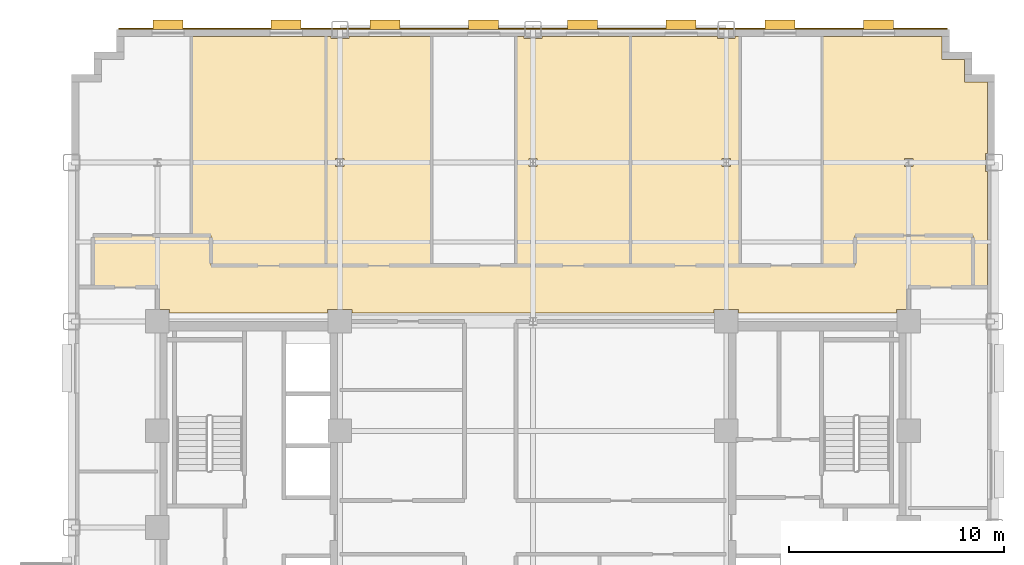
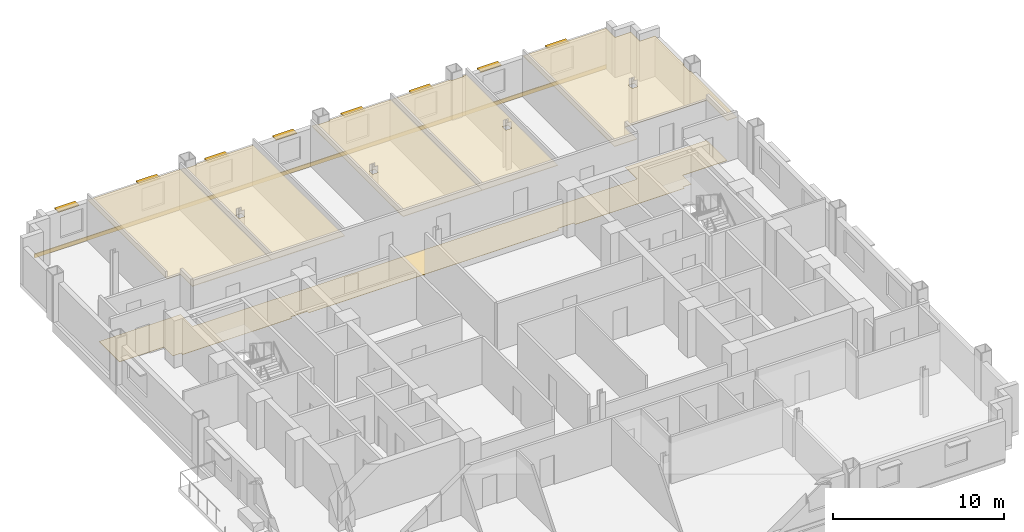
# One storey, part 14 of 14: 8 shading devices, 7 coverings.
"""IFC4 building model written with IfcOpenShell, lengths in metres."""

from ifc_helpers import new_model, si_unit, direction, frame, origin, origin_2d, place, context, subcontext, project, spatial, polyline, rectangle, outline, extrude, source, transform, mapped, material, layer, layer_set, type_object, type_shapes, element, save


model = new_model("IFC4")

# Units and contexts
model_context = context("Model", 3, precision=1e-05, world=origin(), true_north=direction((0.0, 1.0)))
body_context = subcontext(model_context, "Body", "Model", "MODEL_VIEW")
ifc_project = project(units=[si_unit("LENGTHUNIT", "METRE"), si_unit("AREAUNIT", "SQUARE_METRE"), si_unit("VOLUMEUNIT", "CUBIC_METRE"), si_unit("PLANEANGLEUNIT", "RADIAN"), si_unit("MASSUNIT", "GRAM", prefix="KILO")], contexts=[model_context])

# Site, building, storey
site_placement = place(None, origin())
site = spatial("IfcSite", under=ifc_project, at=site_placement, CompositionType="ELEMENT")
building_placement = place(site_placement, origin())
building = spatial("IfcBuilding", under=site, at=building_placement, Name="Nuvemarco Arch Tower", CompositionType="ELEMENT")
storey_placement = place(building_placement, frame((0.0, 0.0, 67.75)))
storey = spatial("IfcBuildingStorey", under=building, at=storey_placement, Name="L17", CompositionType="ELEMENT", Elevation=67.75)

# Coverings
ifc_material_1 = material(Name="Mineral acoustic ceiling tile")
ifc_layer_1 = layer(ifc_material_1, 0.0400390625, Name="COV-ACOUSTIC-CLG")
ifc_layer_set_1 = layer_set([ifc_layer_1], Name="Mineral acoustic ceiling tile")
covering_type_1 = type_object("IfcCoveringType", Name="COV-ACOUSTIC-CLG", PredefinedType="CEILING", material=ifc_layer_set_1)
covering_1_placement = place(storey_placement, frame((0.0, 0.0, 2.85009765625)))
element("IfcCovering", 1, at=covering_1_placement, inside=storey, type_object=covering_type_1, Name="L17 suspended acoustic ceiling 3", PredefinedType="CEILING", context=body_context, shape_type="SweptSolid", body=[
    extrude(outline(polyline([(21.159912109375, 20.760009765625), (21.159912109375, 17.4150390625), (21.0849609375, 17.4150390625), (21.0849609375, 16.5849609375), (21.159912109375, 16.5849609375), (21.159912109375, 11.199951171875), (20.5, 11.199951171875), (20.5, 13.60009765625), (15.0, 13.60009765625), (15.0, 12.199951171875), (13.469970703125, 12.199951171875), (13.469970703125, 22.860107421875), (19.06005859375, 22.860107421875), (19.06005859375, 21.81005859375), (20.110107421875, 21.81005859375), (20.110107421875, 20.760009765625), (21.159912109375, 20.760009765625)]), holes=[polyline([(17.695068359375, 16.804931640625), (17.695068359375, 17.195068359375), (17.304931640625, 17.195068359375), (17.304931640625, 16.804931640625), (17.695068359375, 16.804931640625)])]), origin(), (0.0, 0.0, 1.0), 0.039794921875),
])
covering_2_placement = place(storey_placement, frame((0.0, 0.0, 2.85009765625)))
element("IfcCovering", 2, at=covering_2_placement, inside=storey, type_object=covering_type_1, Name="L17 suspended acoustic ceiling 4", PredefinedType="CEILING", context=body_context, shape_type="SweptSolid", body=[
    extrude(outline(polyline([(-9.64990234375, 22.860107421875), (-9.64990234375, 12.199951171875), (-15.0, 12.199951171875), (-15.0, 13.60009765625), (-15.909912109375, 13.60009765625), (-15.909912109375, 22.860107421875), (-9.64990234375, 22.860107421875)])), origin(), (0.0, 0.0, 1.0), 0.039794921875),
])
covering_3_placement = place(storey_placement, frame((0.0, 0.0, 2.85009765625)))
element("IfcCovering", 3, at=covering_3_placement, inside=storey, type_object=covering_type_1, Name="L17 suspended acoustic ceiling 5", PredefinedType="CEILING", context=body_context, shape_type="SweptSolid", body=[
    extrude(outline(polyline([(4.550048828125, 12.199951171875), (-0.800048828125, 12.199951171875), (-0.800048828125, 22.860107421875), (-0.4150390625, 22.860107421875), (-0.4150390625, 22.784912109375), (0.4150390625, 22.784912109375), (0.4150390625, 22.860107421875), (4.550048828125, 22.860107421875), (4.550048828125, 12.199951171875)]), holes=[polyline([(0.195068359375, 16.804931640625), (0.195068359375, 17.195068359375), (-0.195068359375, 17.195068359375), (-0.195068359375, 16.804931640625), (0.195068359375, 16.804931640625)])]), origin(), (0.0, 0.0, 1.0), 0.039794921875),
])
covering_4_placement = place(storey_placement, frame((0.0, 0.0, 2.85009765625)))
element("IfcCovering", 4, at=covering_4_placement, inside=storey, type_object=covering_type_1, Name="L17 suspended acoustic ceiling 6", PredefinedType="CEILING", context=body_context, shape_type="SweptSolid", body=[
    extrude(outline(polyline([(9.64990234375, 12.199951171875), (4.550048828125, 12.199951171875), (4.550048828125, 22.860107421875), (8.5849609375, 22.860107421875), (8.5849609375, 22.784912109375), (9.4150390625, 22.784912109375), (9.4150390625, 22.860107421875), (9.64990234375, 22.860107421875), (9.64990234375, 12.199951171875)]), holes=[polyline([(9.195068359375, 17.195068359375), (8.804931640625, 17.195068359375), (8.804931640625, 16.804931640625), (9.195068359375, 16.804931640625), (9.195068359375, 17.195068359375)])]), origin(), (0.0, 0.0, 1.0), 0.039794921875),
])
covering_5_placement = place(storey_placement, frame((0.0, 0.0, 2.85009765625)))
element("IfcCovering", 5, at=covering_5_placement, inside=storey, type_object=covering_type_1, Name="L17 suspended acoustic ceiling 7", PredefinedType="CEILING", context=body_context, shape_type="SweptSolid", body=[
    extrude(outline(polyline([(-4.72998046875, 12.199951171875), (-9.64990234375, 12.199951171875), (-9.64990234375, 22.860107421875), (-9.4150390625, 22.860107421875), (-9.4150390625, 22.784912109375), (-8.5849609375, 22.784912109375), (-8.5849609375, 22.860107421875), (-4.72998046875, 22.860107421875), (-4.72998046875, 12.199951171875)]), holes=[polyline([(-8.804931640625, 16.804931640625), (-8.804931640625, 17.195068359375), (-9.195068359375, 17.195068359375), (-9.195068359375, 16.804931640625), (-8.804931640625, 16.804931640625)])]), origin(), (0.0, 0.0, 1.0), 0.039794921875),
])
ifc_material_2 = material(Name="Polished granite terrazzostone flooring", Category="masonry")
ifc_layer_2 = layer(ifc_material_2, 0.02001953125, Name="COV-LOBBY-FLR")
ifc_layer_set_2 = layer_set([ifc_layer_2], Name="Polished granite terrazzostone flooring")
covering_type_2 = type_object("IfcCoveringType", Name="COV-LOBBY-FLR", PredefinedType="FLOORING", material=ifc_layer_set_2)
covering_6_placement = place(storey_placement, origin())
element("IfcCovering", 6, at=covering_6_placement, inside=storey, type_object=covering_type_2, Name="L17 polished terrazzo lobby flooring", PredefinedType="FLOORING", context=body_context, shape_type="SweptSolid", body=[
    extrude(outline(polyline([(-8.43505859375, 10.1650390625), (-9.56494140625, 10.1650390625), (-9.56494140625, 10.0), (-16.93505859375, 10.0), (-16.93505859375, 10.1650390625), (-17.5, 10.1650390625), (-17.5, 11.199951171875), (-20.5, 11.199951171875), (-20.5, 13.60009765625), (-15.0, 13.60009765625), (-15.0, 12.199951171875), (-3.199951171875, 12.199951171875), (-0.800048828125, 12.199951171875), (15.0, 12.199951171875), (15.0, 13.60009765625), (20.5, 13.60009765625), (20.5, 11.199951171875), (17.5, 11.199951171875), (17.5, 10.1650390625), (16.93505859375, 10.1650390625), (16.93505859375, 10.0), (9.56494140625, 10.0), (9.56494140625, 10.1650390625), (8.43505859375, 10.1650390625), (8.43505859375, 10.0), (-8.43505859375, 10.0), (-8.43505859375, 10.1650390625)])), origin(), (0.0, 0.0, 1.0), 0.02001953125),
])

# Shading devices
ifc_material_3 = material(Name="Anodised aluminium 6063-T6", Category="aluminium")
shading_device_type = type_object("IfcShadingDeviceType", Name="SHD-BRISE-NARROW", PredefinedType="USERDEFINED", material=ifc_material_3)
shared_shape_1 = source(origin(), body_context, "Body", "SweptSolid", [
    extrude(rectangle(XDim=1.39990234375, YDim=0.449951171875, at=origin_2d()), origin(), (0.0, 0.0, 1.0), 0.080078125),
])
type_shapes(shading_device_type, [shared_shape_1])
for number, where, z_axis, x_axis, name in (
    (7, (-17.0, 23.4150390625, 2.405029296875), (0.0, 0.0, 1.0), (1.0, 0.0, 0.0), "L17 horizontal brise-soleil sunshade"),
    (8, (-11.5, 23.4150390625, 2.405029296875), (0.0, 0.0, 1.0), (1.0, 0.0, 0.0), "L17 horizontal brise-soleil sunshade"),
    (9, (-6.89990234375, 23.4150390625, 2.405029296875), (0.0, 0.0, 1.0), (1.0, 0.0, 0.0), "L17 horizontal brise-soleil sunshade"),
    (10, (-2.300048828125, 23.4150390625, 2.405029296875), (0.0, 0.0, 1.0), (1.0, 0.0, 0.0), "L17 horizontal brise-soleil sunshade"),
    (11, (2.300048828125, 23.4150390625, 2.405029296875), (0.0, 0.0, 1.0), (1.0, 0.0, 0.0), "L17 horizontal brise-soleil sunshade"),
    (12, (6.89990234375, 23.4150390625, 2.405029296875), (0.0, 0.0, 1.0), (1.0, 0.0, 0.0), "L17 horizontal brise-soleil sunshade"),
    (13, (11.5, 23.4150390625, 2.405029296875), (0.0, 0.0, 1.0), (1.0, 0.0, 0.0), "L17 horizontal brise-soleil sunshade"),
    (14, (16.10009765625, 23.4150390625, 2.405029296875), (0.0, 0.0, 1.0), (1.0, 0.0, 0.0), "L17 horizontal brise-soleil sunshade"),
):
    element("IfcShadingDevice", number, at=place(storey_placement, frame(where, z_axis=z_axis, x_axis=x_axis)), inside=storey, type_object=shading_device_type, Name=name, ObjectType="SUNSHADE", PredefinedType="USERDEFINED", context=body_context, shape_type="MappedRepresentation", body=[
        mapped(shared_shape_1, transform((0.0, 0.0, 0.0), scale=1.0)),
    ])

# Covering
ifc_material_4 = material(Name="Precast concrete C45/55", Category="concrete")
ifc_layer_3 = layer(ifc_material_4, 0.06005859375, Name="COV-SPANDREL-CLAD")
ifc_layer_set_3 = layer_set([ifc_layer_3], Name="Precast concrete C45/55")
covering_type_3 = type_object("IfcCoveringType", Name="COV-SPANDREL-CLAD", PredefinedType="CLADDING", material=ifc_layer_set_3)
shared_shape_2 = source(origin(), body_context, "Body", "SweptSolid", [
    extrude(rectangle(XDim=38.60009765625, YDim=0.06005859375, at=origin_2d()), origin(), (0.0, 0.0, 1.0), 0.280029296875),
])
type_shapes(covering_type_3, [shared_shape_2])
covering_7_placement = place(storey_placement, frame((0.0, 23.22900390625, -0.27978515625), z_axis=(0.0, 0.0, 1.0), x_axis=(1.0, 0.0, 0.0)))
element("IfcCovering", 15, at=covering_7_placement, inside=storey, type_object=covering_type_3, Name="L17 precast spandrel edge cladding north", PredefinedType="CLADDING", context=body_context, shape_type="MappedRepresentation", body=[
    mapped(shared_shape_2, transform((0.0, 0.0, 0.0), scale=1.0)),
])

save(model, "model.ifc")
